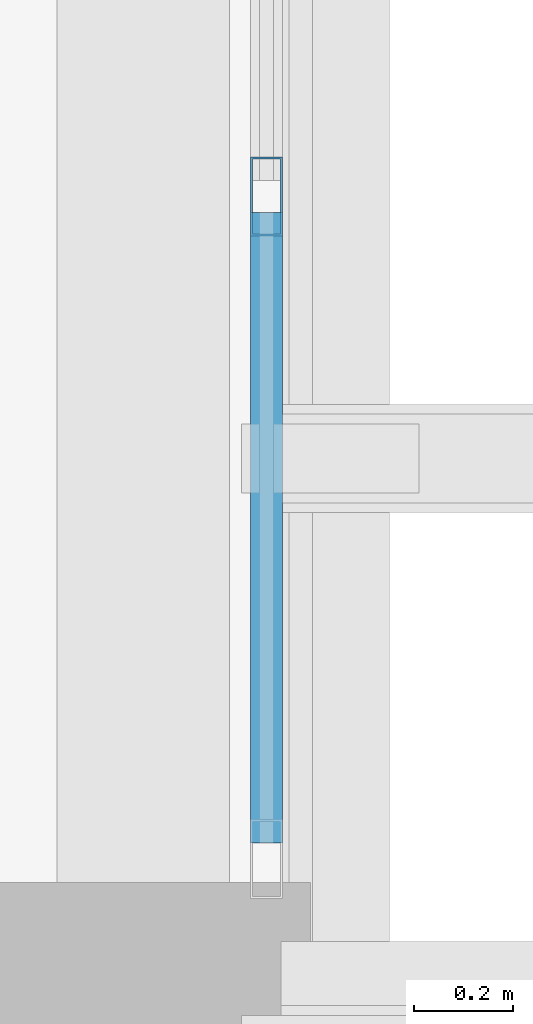
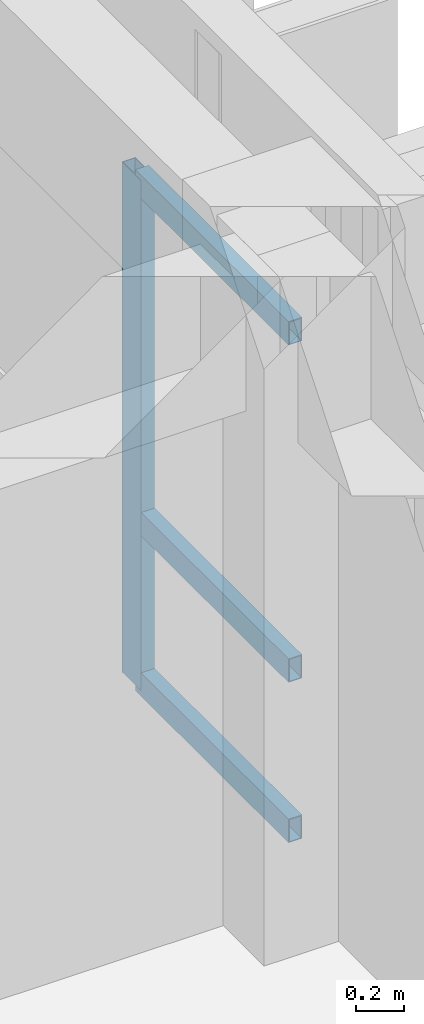
# One storey, part 25 of 53: 4 members, 1 element without a shape of its own.
"""IFC4 building model written with IfcOpenShell, lengths in metres."""

from ifc_helpers import new_model, si_unit, direction, frame, origin, origin_2d, place, context, subcontext, project, spatial, hollow_rectangle, extrude, material, layer, layer_set, material_profile, profile_set, type_object, element, aggregate, save


model = new_model("IFC4")

# Units and contexts
model_context = context("Model", 3, precision=1e-05, world=origin(), true_north=direction((0.0, 1.0)))
body_context = subcontext(model_context, "Body", "Model", "MODEL_VIEW")
ifc_project = project(units=[si_unit("LENGTHUNIT", "METRE"), si_unit("AREAUNIT", "SQUARE_METRE"), si_unit("VOLUMEUNIT", "CUBIC_METRE"), si_unit("PLANEANGLEUNIT", "RADIAN"), si_unit("MASSUNIT", "GRAM", prefix="KILO")], contexts=[model_context])

# Site, building, storey
site_placement = place(None, origin())
site = spatial("IfcSite", under=ifc_project, at=site_placement, CompositionType="ELEMENT")
building_placement = place(site_placement, origin())
building = spatial("IfcBuilding", under=site, at=building_placement, Name="Nakhvara Creek Congress Hotel", CompositionType="ELEMENT")
storey_placement = place(building_placement, frame((0.0, 0.0, 35.39990234375)))
storey = spatial("IfcBuildingStorey", under=building, at=storey_placement, Name="L08", CompositionType="ELEMENT", Elevation=35.39990234375)

# Curtain wall, members
ifc_material_1 = material(Name="Bronze-anodised aluminium AW-6063-T6 and double-silver low-E glass", Category="aluminium")
ifc_layer = layer(ifc_material_1, 0.199951171875)
ifc_layer_set = layer_set([ifc_layer], Name="Bronze-anodised aluminium AW-6063-T6 and double-silver low-E glass")
curtain_wall_type = type_object("IfcCurtainWallType", Name="CW-HTL-UNIT", PredefinedType="USERDEFINED", material=ifc_layer_set)
curtain_wall_placement = place(storey_placement, origin())
curtain_wall = element("IfcCurtainWall", 1, at=curtain_wall_placement, inside=storey, type_object=curtain_wall_type, Name="Curtain Wall CW287", ObjectType="UNITISED", PredefinedType="USERDEFINED")
ifc_material_2 = material(Name="Bronze-anodised aluminium AW-6063-T6", Category="aluminium")
ifc_material_profile_1 = material_profile(ifc_material_2, hollow_rectangle(XDim=0.06494140625, YDim=0.159912109375, WallThickness=0.00390625, at=origin_2d()), Name="ALU-MULL 65x160x4", Category="LoadBearing")
ifc_profile_set_1 = profile_set([ifc_material_profile_1], Name="Bronze-anodised aluminium AW-6063-T6")
member_type_1 = type_object("IfcMemberType", Name="CW-MULL-160", PredefinedType="MULLION", material=ifc_profile_set_1)
member_1_placement = place(storey_placement, frame((179.60009765625, 97.731689453125, 0.0), z_axis=(0.0, 0.0, 1.0), x_axis=(1.0, 0.0, 0.0)))
member_1 = element("IfcMember", 2, at=member_1_placement, type_object=member_type_1, Name="CW287 mullion 3", PredefinedType="MULLION", context=body_context, shape_type="SweptSolid", body=[
    extrude(hollow_rectangle(XDim=0.06494140625, YDim=0.159912109375, WallThickness=0.00390625, at=origin_2d()), origin(), (0.0, 0.0, 1.0), 2.60205078125),
])
ifc_material_profile_2 = material_profile(ifc_material_2, hollow_rectangle(XDim=0.06494140625, YDim=0.1201171875, WallThickness=0.00390625, at=origin_2d()), Name="ALU-TRAN 65x120x4", Category="LoadBearing")
ifc_profile_set_2 = profile_set([ifc_material_profile_2], Name="Bronze-anodised aluminium AW-6063-T6")
member_type_2 = type_object("IfcMemberType", Name="CW-TRAN-120", PredefinedType="USERDEFINED", material=ifc_profile_set_2)
member_2_placement = place(storey_placement, frame((179.60009765625, 97.69921875, 0.03271484375), z_axis=(0.0, -1.0, 0.0), x_axis=(1.0, 0.0, 0.0)))
member_2 = element("IfcMember", 3, at=member_2_placement, type_object=member_type_2, Name="CW287 transom 3.1", ObjectType="TRANSOM", PredefinedType="USERDEFINED", context=body_context, shape_type="SweptSolid", body=[
    extrude(hollow_rectangle(XDim=0.06494140625, YDim=0.1201171875, WallThickness=0.00390625, at=origin_2d()), origin(), (0.0, 0.0, 1.0), 1.279296875),
])
member_3_placement = place(storey_placement, frame((179.60009765625, 97.69921875, 0.85009765625), z_axis=(0.0, -1.0, 0.0), x_axis=(1.0, 0.0, 0.0)))
member_3 = element("IfcMember", 4, at=member_3_placement, type_object=member_type_2, Name="CW287 transom 3.2", ObjectType="TRANSOM", PredefinedType="USERDEFINED", context=body_context, shape_type="SweptSolid", body=[
    extrude(hollow_rectangle(XDim=0.06494140625, YDim=0.1201171875, WallThickness=0.00390625, at=origin_2d()), origin(), (0.0, 0.0, 1.0), 1.279296875),
])
member_4_placement = place(storey_placement, frame((179.60009765625, 97.69921875, 2.569580078125), z_axis=(0.0, -1.0, 0.0), x_axis=(1.0, 0.0, 0.0)))
member_4 = element("IfcMember", 5, at=member_4_placement, type_object=member_type_2, Name="CW287 transom 3.3", ObjectType="TRANSOM", PredefinedType="USERDEFINED", context=body_context, shape_type="SweptSolid", body=[
    extrude(hollow_rectangle(XDim=0.06494140625, YDim=0.1201171875, WallThickness=0.00390625, at=origin_2d()), origin(), (0.0, 0.0, 1.0), 1.279296875),
])
aggregate(curtain_wall, [member_1, member_2, member_3, member_4])

save(model, "model.ifc")
